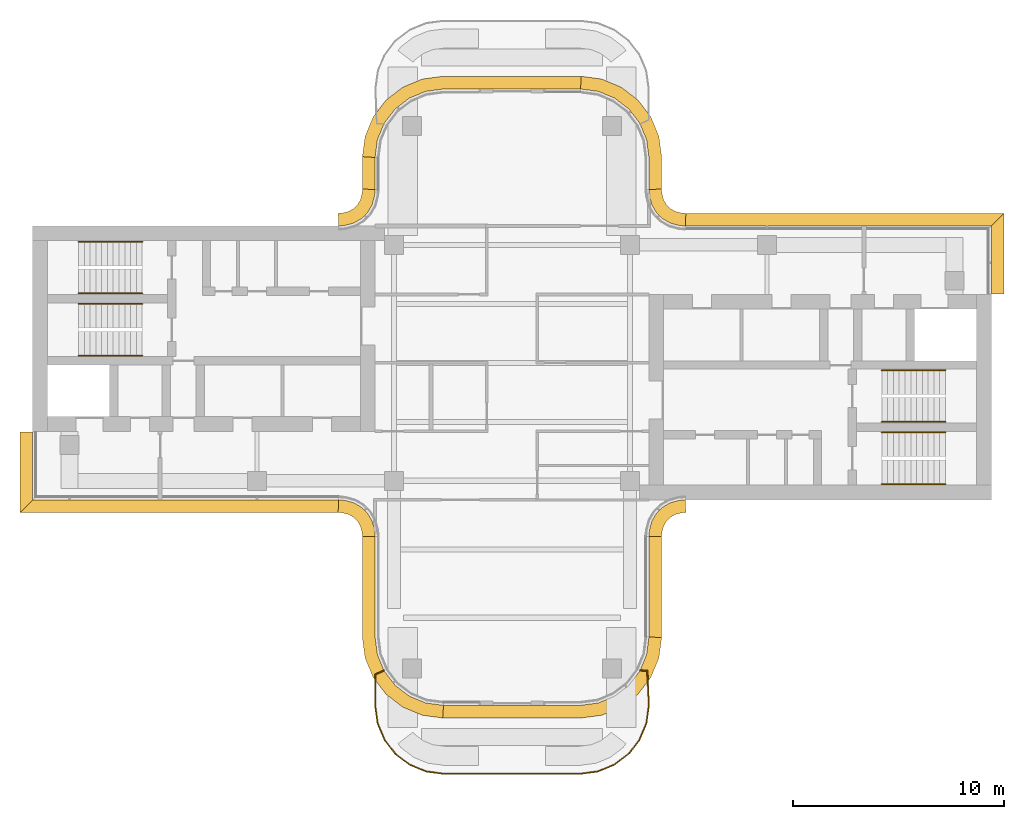
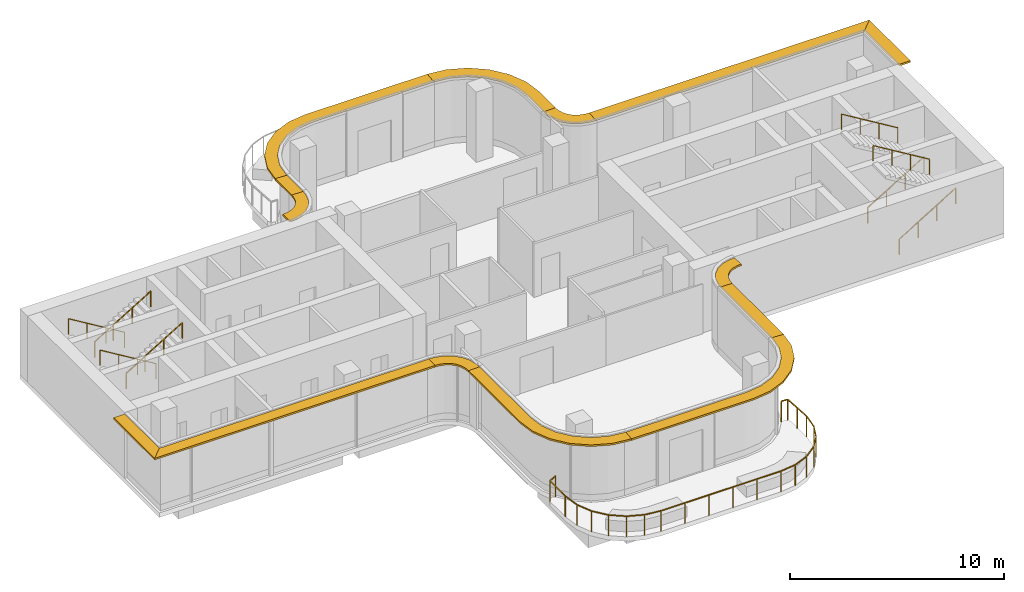
# One storey, part 10 of 11: 14 shading devices, 9 railings.
"""IFC4 building model written with IfcOpenShell, lengths in metres."""

from ifc_helpers import new_model, si_unit, direction, frame, origin, origin_2d, place, context, subcontext, project, spatial, polyline, rectangle, circle, outline, extrude, source, transform, mapped, material, layer, layer_set, type_object, element, save


model = new_model("IFC4")

# Units and contexts
model_context = context("Model", 3, precision=1e-05, world=origin(), true_north=direction((0.0, 1.0)))
body_context = subcontext(model_context, "Body", "Model", "MODEL_VIEW")
ifc_project = project(units=[si_unit("LENGTHUNIT", "METRE"), si_unit("AREAUNIT", "SQUARE_METRE"), si_unit("VOLUMEUNIT", "CUBIC_METRE"), si_unit("PLANEANGLEUNIT", "RADIAN"), si_unit("MASSUNIT", "GRAM", prefix="KILO")], contexts=[model_context])

# Site, building, storey
site_placement = place(None, origin())
site = spatial("IfcSite", under=ifc_project, at=site_placement, CompositionType="ELEMENT")
building_placement = place(site_placement, origin())
building = spatial("IfcBuilding", under=site, at=building_placement, Name="Trellis Farm Tower", CompositionType="ELEMENT")
storey_placement = place(building_placement, frame((0.0, 0.0, 346.10009765625)))
storey = spatial("IfcBuildingStorey", under=building, at=storey_placement, Name="L78", CompositionType="ELEMENT", Elevation=346.10009765625)

# Railings
ifc_material_1 = material(Name="Stainless steel", Category="steel")
railing_type_1 = type_object("IfcRailingType", Name="STAIR HANDRAIL 900", PredefinedType="HANDRAIL", material=ifc_material_1)
shared_shape_1 = source(origin(), body_context, "Body", "SweptSolid", [
    extrude(circle(Radius=0.02392578125, at=origin_2d()), frame((0.0, 0.0, 0.8759765625), z_axis=(0.855170017971, 0.0, 0.518347605727), x_axis=(0.0, 1.0, 0.0)), (0.0, 0.0, 1.0), 3.537109375),
    extrude(circle(Radius=0.02099609375, at=origin_2d()), origin(), (0.0, 0.0, 1.0), 0.851806640625),
    extrude(circle(Radius=0.02099609375, at=origin_2d()), frame((1.00830078125, 0.0, 0.611083984375)), (0.0, 0.0, 1.0), 0.851806640625),
    extrude(circle(Radius=0.02099609375, at=origin_2d()), frame((2.0166015625, 0.0, 1.222412109375)), (0.0, 0.0, 1.0), 0.851806640625),
    extrude(circle(Radius=0.02099609375, at=origin_2d()), frame((3.02490234375, 0.0, 1.83349609375)), (0.0, 0.0, 1.0), 0.851806640625),
])
for number, where, name in (
    (1, (17.550048828125, -5.75, 0.16650390625), "Stair handrail"),
    (2, (17.550048828125, -2.800048828125, 0.16650390625), "Stair handrail"),
    (3, (-20.574951171875, 3.300048828125, 2.16650390625), "Stair handrail"),
    (4, (-20.574951171875, 0.35009765625, 2.16650390625), "Stair handrail"),
):
    element("IfcRailing", number, at=place(storey_placement, frame(where)), inside=storey, type_object=railing_type_1, Name=name, PredefinedType="HANDRAIL", context=body_context, shape_type="MappedRepresentation", body=[
        mapped(shared_shape_1, transform((0.0, 0.0, 0.0))),
    ])
shared_shape_2 = source(origin(), body_context, "Body", "SweptSolid", [
    extrude(circle(Radius=0.02392578125, at=origin_2d()), frame((0.0, 0.0, 0.8759765625), z_axis=(-0.855170017971, 0.0, 0.518347605727), x_axis=(0.0, -1.0, 0.0)), (0.0, 0.0, 1.0), 3.537109375),
    extrude(circle(Radius=0.02099609375, at=origin_2d()), origin(), (0.0, 0.0, 1.0), 0.851806640625),
    extrude(circle(Radius=0.02099609375, at=origin_2d()), frame((-1.00830078125, 0.0, 0.611083984375)), (0.0, 0.0, 1.0), 0.851806640625),
    extrude(circle(Radius=0.02099609375, at=origin_2d()), frame((-2.0166015625, 0.0, 1.222412109375)), (0.0, 0.0, 1.0), 0.851806640625),
    extrude(circle(Radius=0.02099609375, at=origin_2d()), frame((-3.02490234375, 0.0, 1.83349609375)), (0.0, 0.0, 1.0), 0.851806640625),
])
for number, where, name in (
    (5, (20.574951171875, -3.300048828125, 2.16650390625), "Stair handrail"),
    (6, (20.574951171875, -0.35009765625, 2.16650390625), "Stair handrail"),
    (7, (-17.550048828125, 5.75, 0.16650390625), "Stair handrail"),
    (8, (-17.550048828125, 2.800048828125, 0.16650390625), "Stair handrail"),
):
    element("IfcRailing", number, at=place(storey_placement, frame(where)), inside=storey, type_object=railing_type_1, Name=name, PredefinedType="HANDRAIL", context=body_context, shape_type="MappedRepresentation", body=[
        mapped(shared_shape_2, transform((0.0, 0.0, 0.0))),
    ])

# Shading devices
ifc_material_2 = material(Name="Aluminium extrusion 6063-T6", Category="aluminium")
ifc_layer = layer(ifc_material_2, 0.10009765625)
ifc_layer_set = layer_set([ifc_layer], Name="SUNSHADE BLADE 600")
shading_device_type = type_object("IfcShadingDeviceType", Name="SUNSHADE BLADE 600", PredefinedType="USERDEFINED", material=ifc_layer_set)
shared_shape_3 = source(origin(), body_context, "Body", "SweptSolid", [
    extrude(outline(polyline([(7.10009765625, -8.2509765625), (7.111328125, -8.078369140625), (7.1171875, -8.032958984375), (7.19580078125, -7.739990234375), (7.3271484375, -7.5126953125), (7.5126953125, -7.3271484375), (7.739990234375, -7.19580078125), (8.032958984375, -7.1171875), (8.078369140625, -7.111328125), (8.2509765625, -7.10009765625), (8.2314453125, -6.5), (8.01953125, -6.513916015625), (7.91552734375, -6.527587890625), (7.508544921875, -6.63671875), (7.144287109375, -6.846923828125), (6.846923828125, -7.144287109375), (6.63671875, -7.508544921875), (6.527587890625, -7.91552734375), (6.513916015625, -8.01953125), (6.5, -8.2314453125), (7.10009765625, -8.2509765625)])), origin(), (0.0, 0.0, 1.0), 0.10009765625),
])
placement = place(storey_placement, frame((0.0, 0.0, 3.58984375)))
element("IfcShadingDevice", 9, at=placement, inside=storey, type_object=shading_device_type, Name="SD3 004", ObjectType="SUNSHADE", PredefinedType="USERDEFINED", context=body_context, shape_type="MappedRepresentation", body=[
    mapped(shared_shape_3, transform((0.0, 0.0, 0.0))),
])
shared_shape_4 = source(origin(), body_context, "Body", "SweptSolid", [
    extrude(outline(polyline([(23.35009765625, 3.280029296875), (23.35009765625, 7.10009765625), (22.75, 6.5), (22.75, 3.280029296875), (23.35009765625, 3.280029296875)])), origin(), (0.0, 0.0, 1.0), 0.10009765625),
])
element("IfcShadingDevice", 10, at=placement, inside=storey, type_object=shading_device_type, Name="SD3 005", ObjectType="SUNSHADE", PredefinedType="USERDEFINED", context=body_context, shape_type="MappedRepresentation", body=[
    mapped(shared_shape_4, transform((0.0, 0.0, 0.0))),
])
shared_shape_5 = source(origin(), body_context, "Body", "SweptSolid", [
    extrude(outline(polyline([(23.35009765625, 7.10009765625), (8.2509765625, 7.10009765625), (8.2314453125, 6.5), (22.75, 6.5), (23.35009765625, 7.10009765625)])), origin(), (0.0, 0.0, 1.0), 0.10009765625),
])
element("IfcShadingDevice", 11, at=placement, inside=storey, type_object=shading_device_type, Name="SD3 006", ObjectType="SUNSHADE", PredefinedType="USERDEFINED", context=body_context, shape_type="MappedRepresentation", body=[
    mapped(shared_shape_5, transform((0.0, 0.0, 0.0))),
])
shared_shape_6 = source(origin(), body_context, "Body", "SweptSolid", [
    extrude(outline(polyline([(8.2509765625, 7.10009765625), (8.078369140625, 7.111328125), (8.032958984375, 7.1171875), (7.739990234375, 7.19580078125), (7.5126953125, 7.3271484375), (7.3271484375, 7.5126953125), (7.19580078125, 7.739990234375), (7.1171875, 8.032958984375), (7.111328125, 8.078369140625), (7.10009765625, 8.2509765625), (6.5, 8.2314453125), (6.513916015625, 8.01953125), (6.527587890625, 7.91552734375), (6.63671875, 7.508544921875), (6.846923828125, 7.144287109375), (7.144287109375, 6.846923828125), (7.508544921875, 6.63671875), (7.91552734375, 6.527587890625), (8.01953125, 6.513916015625), (8.2314453125, 6.5), (8.2509765625, 7.10009765625)])), origin(), (0.0, 0.0, 1.0), 0.10009765625),
])
element("IfcShadingDevice", 12, at=placement, inside=storey, type_object=shading_device_type, Name="SD3 007", ObjectType="SUNSHADE", PredefinedType="USERDEFINED", context=body_context, shape_type="MappedRepresentation", body=[
    mapped(shared_shape_6, transform((0.0, 0.0, 0.0))),
])
shared_shape_7 = source(origin(), body_context, "Body", "SweptSolid", [
    extrude(outline(polyline([(-7.10009765625, 8.2509765625), (-7.111328125, 8.078369140625), (-7.1171875, 8.032958984375), (-7.19580078125, 7.739990234375), (-7.3271484375, 7.5126953125), (-7.5126953125, 7.3271484375), (-7.739990234375, 7.19580078125), (-8.032958984375, 7.1171875), (-8.078369140625, 7.111328125), (-8.2509765625, 7.10009765625), (-8.2314453125, 6.5), (-8.01953125, 6.513916015625), (-7.91552734375, 6.527587890625), (-7.508544921875, 6.63671875), (-7.144287109375, 6.846923828125), (-6.846923828125, 7.144287109375), (-6.63671875, 7.508544921875), (-6.527587890625, 7.91552734375), (-6.513916015625, 8.01953125), (-6.5, 8.2314453125), (-7.10009765625, 8.2509765625)])), origin(), (0.0, 0.0, 1.0), 0.10009765625),
])
element("IfcShadingDevice", 13, at=placement, inside=storey, type_object=shading_device_type, Name="SD3 011", ObjectType="SUNSHADE", PredefinedType="USERDEFINED", context=body_context, shape_type="MappedRepresentation", body=[
    mapped(shared_shape_7, transform((0.0, 0.0, 0.0))),
])
shared_shape_8 = source(origin(), body_context, "Body", "SweptSolid", [
    extrude(outline(polyline([(-23.35009765625, -3.280029296875), (-23.35009765625, -7.10009765625), (-22.75, -6.5), (-22.75, -3.280029296875), (-23.35009765625, -3.280029296875)])), origin(), (0.0, 0.0, 1.0), 0.10009765625),
])
element("IfcShadingDevice", 14, at=placement, inside=storey, type_object=shading_device_type, Name="SD3 012", ObjectType="SUNSHADE", PredefinedType="USERDEFINED", context=body_context, shape_type="MappedRepresentation", body=[
    mapped(shared_shape_8, transform((0.0, 0.0, 0.0))),
])
shared_shape_9 = source(origin(), body_context, "Body", "SweptSolid", [
    extrude(outline(polyline([(-23.35009765625, -7.10009765625), (-8.2509765625, -7.10009765625), (-8.2314453125, -6.5), (-22.75, -6.5), (-23.35009765625, -7.10009765625)])), origin(), (0.0, 0.0, 1.0), 0.10009765625),
])
element("IfcShadingDevice", 15, at=placement, inside=storey, type_object=shading_device_type, Name="SD3 013", ObjectType="SUNSHADE", PredefinedType="USERDEFINED", context=body_context, shape_type="MappedRepresentation", body=[
    mapped(shared_shape_9, transform((0.0, 0.0, 0.0))),
])
shared_shape_10 = source(origin(), body_context, "Body", "SweptSolid", [
    extrude(outline(polyline([(-8.2509765625, -7.10009765625), (-8.078369140625, -7.111328125), (-8.032958984375, -7.1171875), (-7.739990234375, -7.19580078125), (-7.5126953125, -7.3271484375), (-7.3271484375, -7.5126953125), (-7.19580078125, -7.739990234375), (-7.1171875, -8.032958984375), (-7.111328125, -8.078369140625), (-7.10009765625, -8.2509765625), (-6.5, -8.2314453125), (-6.513916015625, -8.01953125), (-6.527587890625, -7.91552734375), (-6.63671875, -7.508544921875), (-6.846923828125, -7.144287109375), (-7.144287109375, -6.846923828125), (-7.508544921875, -6.63671875), (-7.91552734375, -6.527587890625), (-8.01953125, -6.513916015625), (-8.2314453125, -6.5), (-8.2509765625, -7.10009765625)])), origin(), (0.0, 0.0, 1.0), 0.10009765625),
])
element("IfcShadingDevice", 16, at=placement, inside=storey, type_object=shading_device_type, Name="SD3 014", ObjectType="SUNSHADE", PredefinedType="USERDEFINED", context=body_context, shape_type="MappedRepresentation", body=[
    mapped(shared_shape_10, transform((0.0, 0.0, 0.0))),
])

# Railing
ifc_material_3 = material(Name="Stainless steel 316", Category="steel")
railing_type_2 = type_object("IfcRailingType", Name="BALUSTRADE GUARD 1200", PredefinedType="GUARDRAIL", material=ifc_material_3)
shared_shape_11 = source(origin(), body_context, "Body", "SweptSolid", [
    extrude(rectangle(XDim=0.050048828125, YDim=0.050048828125, at=origin_2d()), frame((0.0, 0.0, 1.1748046875), z_axis=(0.998595991784, -0.052972117127, 0.0), x_axis=(0.052972117127, 0.998595991784, 0.0)), (0.0, 0.0, 1.0), 0.341064453125),
    extrude(rectangle(XDim=0.050048828125, YDim=0.050048828125, at=origin_2d()), frame((0.340576171875, -0.01806640625, 1.1748046875), z_axis=(0.049847755092, -0.998756827918, 0.0), x_axis=(0.998756827918, 0.049847755092, 0.0)), (0.0, 0.0, 1.0), 1.6259765625),
    extrude(rectangle(XDim=0.050048828125, YDim=0.050048828125, at=origin_2d()), frame((0.421630859375, -1.64208984375, 1.1748046875), z_axis=(-0.137531262137, -0.990497426516, 0.0), x_axis=(0.990497426516, -0.137531262137, 0.0)), (0.0, 0.0, 1.0), 0.896484375),
    extrude(rectangle(XDim=0.050048828125, YDim=0.050048828125, at=origin_2d()), frame((0.29833984375, -2.530029296875, 1.1748046875), z_axis=(-0.392110431343, -0.919918153768, 0.0), x_axis=(0.919918153768, -0.392110431343, 0.0)), (0.0, 0.0, 1.0), 0.847412109375),
    extrude(rectangle(XDim=0.050048828125, YDim=0.050048828125, at=origin_2d()), frame((-0.033935546875, -3.3095703125, 1.1748046875), z_axis=(-0.608700054987, -0.793400430463, 0.0), x_axis=(0.793400430463, -0.608700054987, 0.0)), (0.0, 0.0, 1.0), 0.782470703125),
    extrude(rectangle(XDim=0.050048828125, YDim=0.050048828125, at=origin_2d()), frame((-0.51025390625, -3.930419921875, 1.1748046875), z_axis=(-0.793399515431, -0.608701247669, 0.0), x_axis=(0.608701247669, -0.793399515431, 0.0)), (0.0, 0.0, 1.0), 0.912109375),
    extrude(rectangle(XDim=0.050048828125, YDim=0.050048828125, at=origin_2d()), frame((-1.23388671875, -4.485595703125, 1.1748046875), z_axis=(-0.927639628134, -0.373476532483, 0.0), x_axis=(0.373476532483, -0.927639628134, 0.0)), (0.0, 0.0, 1.0), 0.84716796875),
    extrude(rectangle(XDim=0.050048828125, YDim=0.050048828125, at=origin_2d()), frame((-2.019775390625, -4.802001953125, 1.1748046875), z_axis=(-0.991777866634, -0.12797133763, 0.0), x_axis=(0.12797133763, -0.991777866634, 0.0)), (0.0, 0.0, 1.0), 0.831787109375),
    extrude(rectangle(XDim=0.050048828125, YDim=0.050048828125, at=origin_2d()), frame((-2.8447265625, -4.908447265625, 1.1748046875), z_axis=(-1.0, 0.0, 0.0), x_axis=(0.0, -1.0, 0.0)), (0.0, 0.0, 1.0), 6.46728515625),
    extrude(rectangle(XDim=0.050048828125, YDim=0.050048828125, at=origin_2d()), frame((-9.31201171875, -4.908447265625, 1.1748046875), z_axis=(-0.991777866634, 0.12797133763, 0.0), x_axis=(-0.12797133763, -0.991777866634, 0.0)), (0.0, 0.0, 1.0), 0.831787109375),
    extrude(rectangle(XDim=0.050048828125, YDim=0.050048828125, at=origin_2d()), frame((-10.136962890625, -4.802001953125, 1.1748046875), z_axis=(-0.927639628134, 0.373476532483, 0.0), x_axis=(-0.373476532483, -0.927639628134, 0.0)), (0.0, 0.0, 1.0), 0.84716796875),
    extrude(rectangle(XDim=0.050048828125, YDim=0.050048828125, at=origin_2d()), frame((-10.9228515625, -4.485595703125, 1.1748046875), z_axis=(-0.799481118844, 0.600691219023, 0.0), x_axis=(-0.600691219023, -0.799481118844, 0.0)), (0.0, 0.0, 1.0), 0.847412109375),
    extrude(rectangle(XDim=0.050048828125, YDim=0.050048828125, at=origin_2d()), frame((-11.600341796875, -3.9765625, 1.1748046875), z_axis=(-0.616650070044, 0.78723737914, 0.0), x_axis=(-0.78723737914, -0.616650070044, 0.0)), (0.0, 0.0, 1.0), 0.84716796875),
    extrude(rectangle(XDim=0.050048828125, YDim=0.050048828125, at=origin_2d()), frame((-12.122802734375, -3.3095703125, 1.1748046875), z_axis=(-0.392110431343, 0.919918153768, 0.0), x_axis=(-0.919918153768, -0.392110431343, 0.0)), (0.0, 0.0, 1.0), 0.847412109375),
    extrude(rectangle(XDim=0.050048828125, YDim=0.050048828125, at=origin_2d()), frame((-12.455078125, -2.530029296875, 1.1748046875), z_axis=(-0.137531262137, 0.990497426516, 0.0), x_axis=(-0.990497426516, -0.137531262137, 0.0)), (0.0, 0.0, 1.0), 0.896484375),
    extrude(rectangle(XDim=0.050048828125, YDim=0.050048828125, at=origin_2d()), frame((-12.578369140625, -1.64208984375, 1.1748046875), z_axis=(0.0, 1.0, 0.0), x_axis=(-1.0, 0.0, 0.0)), (0.0, 0.0, 1.0), 1.439697265625),
    extrude(rectangle(XDim=0.050048828125, YDim=0.050048828125, at=origin_2d()), frame((-12.578369140625, -0.202392578125, 1.1748046875), z_axis=(0.901514911476, 0.432748037993, 0.0), x_axis=(-0.432748037993, 0.901514911476, 0.0)), (0.0, 0.0, 1.0), 0.4677734375),
    extrude(rectangle(XDim=0.0400390625, YDim=0.0400390625, at=origin_2d()), origin(), (0.0, 0.0, 1.0), 1.14990234375),
    extrude(rectangle(XDim=0.0400390625, YDim=0.0400390625, at=origin_2d()), frame((0.340576171875, -0.01806640625, 0.0)), (0.0, 0.0, 1.0), 1.14990234375),
    extrude(rectangle(XDim=0.0400390625, YDim=0.0400390625, at=origin_2d()), frame((0.381103515625, -0.830078125, 0.0)), (0.0, 0.0, 1.0), 1.14990234375),
    extrude(rectangle(XDim=0.0400390625, YDim=0.0400390625, at=origin_2d()), frame((0.421630859375, -1.64208984375, 0.0)), (0.0, 0.0, 1.0), 1.14990234375),
    extrude(rectangle(XDim=0.0400390625, YDim=0.0400390625, at=origin_2d()), frame((0.29833984375, -2.530029296875, 0.0)), (0.0, 0.0, 1.0), 1.14990234375),
    extrude(rectangle(XDim=0.0400390625, YDim=0.0400390625, at=origin_2d()), frame((-0.033935546875, -3.3095703125, 0.0)), (0.0, 0.0, 1.0), 1.14990234375),
    extrude(rectangle(XDim=0.0400390625, YDim=0.0400390625, at=origin_2d()), frame((-0.51025390625, -3.930419921875, 0.0)), (0.0, 0.0, 1.0), 1.14990234375),
    extrude(rectangle(XDim=0.0400390625, YDim=0.0400390625, at=origin_2d()), frame((-1.23388671875, -4.485595703125, 0.0)), (0.0, 0.0, 1.0), 1.14990234375),
    extrude(rectangle(XDim=0.0400390625, YDim=0.0400390625, at=origin_2d()), frame((-2.019775390625, -4.802001953125, 0.0)), (0.0, 0.0, 1.0), 1.14990234375),
    extrude(rectangle(XDim=0.0400390625, YDim=0.0400390625, at=origin_2d()), frame((-2.8447265625, -4.908447265625, 0.0)), (0.0, 0.0, 1.0), 1.14990234375),
    extrude(rectangle(XDim=0.0400390625, YDim=0.0400390625, at=origin_2d()), frame((-4.13818359375, -4.908447265625, 0.0)), (0.0, 0.0, 1.0), 1.14990234375),
    extrude(rectangle(XDim=0.0400390625, YDim=0.0400390625, at=origin_2d()), frame((-5.431640625, -4.908447265625, 0.0)), (0.0, 0.0, 1.0), 1.14990234375),
    extrude(rectangle(XDim=0.0400390625, YDim=0.0400390625, at=origin_2d()), frame((-6.72509765625, -4.908447265625, 0.0)), (0.0, 0.0, 1.0), 1.14990234375),
    extrude(rectangle(XDim=0.0400390625, YDim=0.0400390625, at=origin_2d()), frame((-8.0185546875, -4.908447265625, 0.0)), (0.0, 0.0, 1.0), 1.14990234375),
    extrude(rectangle(XDim=0.0400390625, YDim=0.0400390625, at=origin_2d()), frame((-9.31201171875, -4.908447265625, 0.0)), (0.0, 0.0, 1.0), 1.14990234375),
    extrude(rectangle(XDim=0.0400390625, YDim=0.0400390625, at=origin_2d()), frame((-10.136962890625, -4.802001953125, 0.0)), (0.0, 0.0, 1.0), 1.14990234375),
    extrude(rectangle(XDim=0.0400390625, YDim=0.0400390625, at=origin_2d()), frame((-10.9228515625, -4.485595703125, 0.0)), (0.0, 0.0, 1.0), 1.14990234375),
    extrude(rectangle(XDim=0.0400390625, YDim=0.0400390625, at=origin_2d()), frame((-11.600341796875, -3.9765625, 0.0)), (0.0, 0.0, 1.0), 1.14990234375),
    extrude(rectangle(XDim=0.0400390625, YDim=0.0400390625, at=origin_2d()), frame((-12.122802734375, -3.3095703125, 0.0)), (0.0, 0.0, 1.0), 1.14990234375),
    extrude(rectangle(XDim=0.0400390625, YDim=0.0400390625, at=origin_2d()), frame((-12.455078125, -2.530029296875, 0.0)), (0.0, 0.0, 1.0), 1.14990234375),
    extrude(rectangle(XDim=0.0400390625, YDim=0.0400390625, at=origin_2d()), frame((-12.578369140625, -1.64208984375, 0.0)), (0.0, 0.0, 1.0), 1.14990234375),
    extrude(rectangle(XDim=0.0400390625, YDim=0.0400390625, at=origin_2d()), frame((-12.578369140625, -0.202392578125, 0.0)), (0.0, 0.0, 1.0), 1.14990234375),
    extrude(rectangle(XDim=0.0400390625, YDim=0.0400390625, at=origin_2d()), frame((-12.15673828125, 0.0, 0.0)), (0.0, 0.0, 1.0), 1.14990234375),
])
railing_placement = place(storey_placement, frame((6.078369140625, -14.591552734375, 0.0)))
element("IfcRailing", 17, at=railing_placement, inside=storey, type_object=railing_type_2, Name="GD2 TER-2", PredefinedType="GUARDRAIL", context=body_context, shape_type="MappedRepresentation", body=[
    mapped(shared_shape_11, transform((0.0, 0.0, 0.0))),
])

# Shading devices
shared_shape_12 = source(origin(), body_context, "Body", "SweptSolid", [
    extrude(outline(polyline([(-7.10009765625, -8.2509765625), (-7.10009765625, -13.039306640625), (-6.973876953125, -13.997802734375), (-6.588623046875, -14.927490234375), (-5.97607421875, -15.72607421875), (-5.177490234375, -16.338623046875), (-4.247802734375, -16.723876953125), (-3.289306640625, -16.85009765625), (-3.25, -16.25), (-4.091064453125, -16.13916015625), (-4.875, -15.814697265625), (-5.548095703125, -15.298095703125), (-6.064697265625, -14.625), (-6.38916015625, -13.841064453125), (-6.5, -13.0), (-6.5, -8.2314453125), (-7.10009765625, -8.2509765625)])), origin(), (0.0, 0.0, 1.0), 0.10009765625),
])
element("IfcShadingDevice", 18, at=placement, inside=storey, type_object=shading_device_type, Name="SD3 001", ObjectType="SUNSHADE", PredefinedType="USERDEFINED", context=body_context, shape_type="MappedRepresentation", body=[
    mapped(shared_shape_12, transform((0.0, 0.0, 0.0))),
])
shared_shape_13 = source(origin(), body_context, "Body", "SweptSolid", [
    extrude(outline(polyline([(-3.289306640625, -16.85009765625), (3.289306640625, -16.85009765625), (4.247802734375, -16.723876953125), (5.177490234375, -16.338623046875), (5.97607421875, -15.72607421875), (6.588623046875, -14.927490234375), (6.973876953125, -13.997802734375), (7.10009765625, -13.039306640625), (6.5, -13.0), (6.38916015625, -13.841064453125), (6.064697265625, -14.625), (5.548095703125, -15.298095703125), (4.875, -15.814697265625), (4.091064453125, -16.13916015625), (3.25, -16.25), (-3.25, -16.25), (-3.289306640625, -16.85009765625)])), origin(), (0.0, 0.0, 1.0), 0.10009765625),
])
element("IfcShadingDevice", 19, at=placement, inside=storey, type_object=shading_device_type, Name="SD3 002", ObjectType="SUNSHADE", PredefinedType="USERDEFINED", context=body_context, shape_type="MappedRepresentation", body=[
    mapped(shared_shape_13, transform((0.0, 0.0, 0.0))),
])
shared_shape_14 = source(origin(), body_context, "Body", "SweptSolid", [
    extrude(outline(polyline([(7.10009765625, -13.039306640625), (7.10009765625, -8.2509765625), (6.5, -8.2314453125), (6.5, -13.0), (7.10009765625, -13.039306640625)])), origin(), (0.0, 0.0, 1.0), 0.10009765625),
])
element("IfcShadingDevice", 20, at=placement, inside=storey, type_object=shading_device_type, Name="SD3 003", ObjectType="SUNSHADE", PredefinedType="USERDEFINED", context=body_context, shape_type="MappedRepresentation", body=[
    mapped(shared_shape_14, transform((0.0, 0.0, 0.0))),
])
shared_shape_15 = source(origin(), body_context, "Body", "SweptSolid", [
    extrude(outline(polyline([(7.10009765625, 8.2509765625), (7.10009765625, 9.789306640625), (6.973876953125, 10.747802734375), (6.588623046875, 11.677490234375), (5.97607421875, 12.47607421875), (5.177490234375, 13.088623046875), (4.247802734375, 13.473876953125), (3.289306640625, 13.60009765625), (3.25, 13.0), (4.091064453125, 12.88916015625), (4.875, 12.564697265625), (5.548095703125, 12.048095703125), (6.064697265625, 11.375), (6.38916015625, 10.591064453125), (6.5, 9.75), (6.5, 8.2314453125), (7.10009765625, 8.2509765625)])), origin(), (0.0, 0.0, 1.0), 0.10009765625),
])
element("IfcShadingDevice", 21, at=placement, inside=storey, type_object=shading_device_type, Name="SD3 008", ObjectType="SUNSHADE", PredefinedType="USERDEFINED", context=body_context, shape_type="MappedRepresentation", body=[
    mapped(shared_shape_15, transform((0.0, 0.0, 0.0))),
])
shared_shape_16 = source(origin(), body_context, "Body", "SweptSolid", [
    extrude(outline(polyline([(3.289306640625, 13.60009765625), (-3.289306640625, 13.60009765625), (-4.247802734375, 13.473876953125), (-5.177490234375, 13.088623046875), (-5.97607421875, 12.47607421875), (-6.588623046875, 11.677490234375), (-6.973876953125, 10.747802734375), (-7.10009765625, 9.789306640625), (-6.5, 9.75), (-6.38916015625, 10.591064453125), (-6.064697265625, 11.375), (-5.548095703125, 12.048095703125), (-4.875, 12.564697265625), (-4.091064453125, 12.88916015625), (-3.25, 13.0), (3.25, 13.0), (3.289306640625, 13.60009765625)])), origin(), (0.0, 0.0, 1.0), 0.10009765625),
])
element("IfcShadingDevice", 22, at=placement, inside=storey, type_object=shading_device_type, Name="SD3 009", ObjectType="SUNSHADE", PredefinedType="USERDEFINED", context=body_context, shape_type="MappedRepresentation", body=[
    mapped(shared_shape_16, transform((0.0, 0.0, 0.0))),
])
shared_shape_17 = source(origin(), body_context, "Body", "SweptSolid", [
    extrude(outline(polyline([(-7.10009765625, 9.789306640625), (-7.10009765625, 8.2509765625), (-6.5, 8.2314453125), (-6.5, 9.75), (-7.10009765625, 9.789306640625)])), origin(), (0.0, 0.0, 1.0), 0.10009765625),
])
element("IfcShadingDevice", 23, at=placement, inside=storey, type_object=shading_device_type, Name="SD3 010", ObjectType="SUNSHADE", PredefinedType="USERDEFINED", context=body_context, shape_type="MappedRepresentation", body=[
    mapped(shared_shape_17, transform((0.0, 0.0, 0.0))),
])

save(model, "model.ifc")
